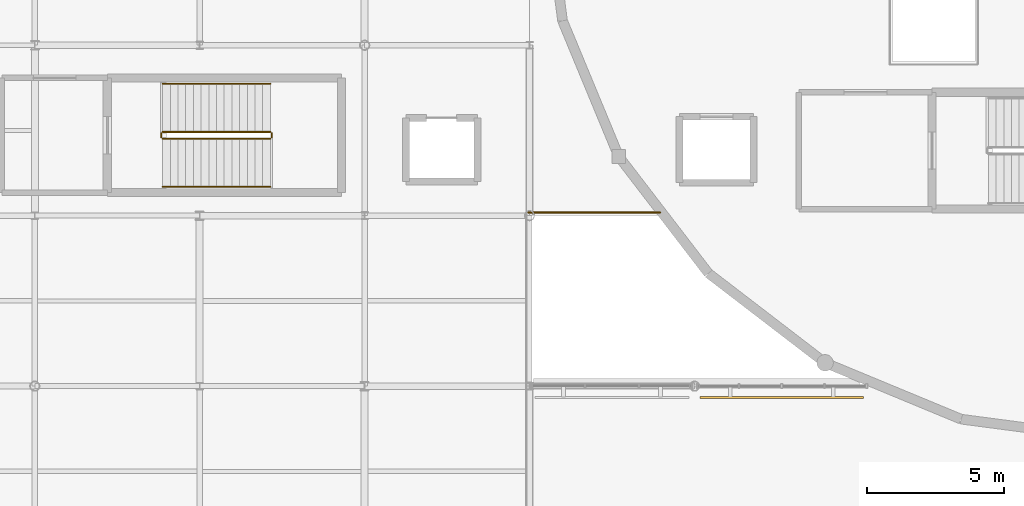
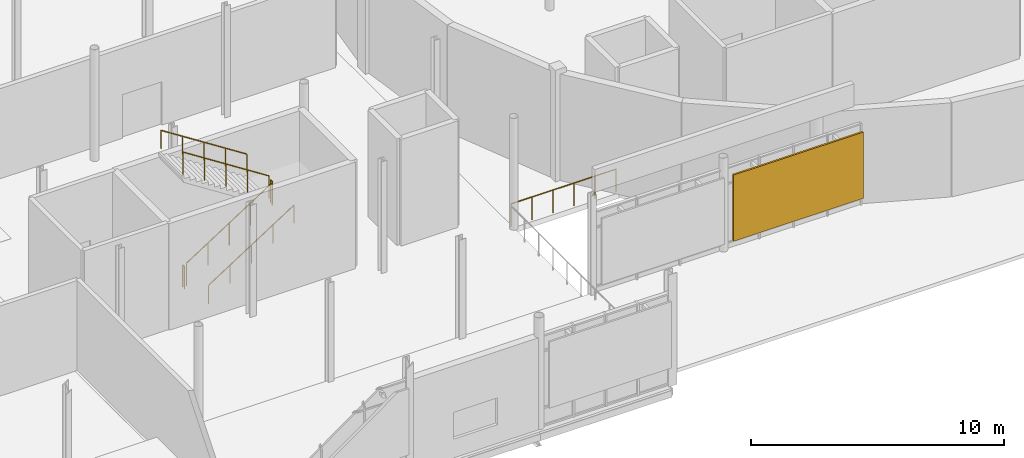
# One storey, part 92 of 105: 7 railings, 1 shading device.
"""IFC4 building model written with IfcOpenShell, lengths in metres."""

from ifc_helpers import new_model, si_unit, direction, frame, origin, origin_2d, place, context, subcontext, project, spatial, rectangle, circle, extrude, material, layer, layer_set, type_object, element, save


model = new_model("IFC4")

# Units and contexts
model_context = context("Model", 3, precision=1e-05, world=origin(), true_north=direction((0.0, 1.0)))
body_context = subcontext(model_context, "Body", "Model", "MODEL_VIEW")
ifc_project = project(units=[si_unit("LENGTHUNIT", "METRE"), si_unit("AREAUNIT", "SQUARE_METRE"), si_unit("VOLUMEUNIT", "CUBIC_METRE"), si_unit("PLANEANGLEUNIT", "RADIAN"), si_unit("MASSUNIT", "GRAM", prefix="KILO")], contexts=[model_context])

# Site, building, storey
site_placement = place(None, origin())
site = spatial("IfcSite", under=ifc_project, at=site_placement, CompositionType="ELEMENT")
building_placement = place(site_placement, origin())
building = spatial("IfcBuilding", under=site, at=building_placement, Name="Mirzam Square Science Centre", CompositionType="ELEMENT")
storey_placement = place(building_placement, frame((0.0, 0.0, 5.39990234375)))
storey = spatial("IfcBuildingStorey", under=building, at=storey_placement, Name="L01", CompositionType="ELEMENT", Elevation=5.39990234375)

# Railings
ifc_material_1 = material(Name="Bronze-Anodised Architectural Balustrade", Category="aluminium")
railing_type_1 = type_object("IfcRailingType", Name="RL-INT-GUARD-1100", PredefinedType="GUARDRAIL", material=ifc_material_1)
railing_1_placement = place(storey_placement, frame((46.64990234375, 52.39990234375, 0.18017578125)))
element("IfcRailing", 1, at=railing_1_placement, inside=storey, type_object=railing_type_1, Name="L01 ST-01 stair guard 1", PredefinedType="GUARDRAIL", context=body_context, shape_type="SweptSolid", body=[
    extrude(circle(Radius=0.02392578125, at=origin_2d()), frame((0.0, 0.0, 1.076171875), z_axis=(0.841186985886, 0.0, 0.540744352514), x_axis=(0.0, 1.0, 0.0)), (0.0, 0.0, 1.0), 4.660400390625),
    extrude(circle(Radius=0.02099609375, at=origin_2d()), origin(), (0.0, 0.0, 1.0), 1.052001953125),
    extrude(circle(Radius=0.02099609375, at=origin_2d()), frame((0.97998046875, 0.0, 0.6298828125)), (0.0, 0.0, 1.0), 1.052001953125),
    extrude(circle(Radius=0.02099609375, at=origin_2d()), frame((1.9599609375, 0.0, 1.260009765625)), (0.0, 0.0, 1.0), 1.052001953125),
    extrude(circle(Radius=0.02099609375, at=origin_2d()), frame((2.940185546875, 0.0, 1.89013671875)), (0.0, 0.0, 1.0), 1.052001953125),
    extrude(circle(Radius=0.02099609375, at=origin_2d()), frame((3.920166015625, 0.0, 2.52001953125)), (0.0, 0.0, 1.0), 1.052001953125),
])
railing_2_placement = place(storey_placement, frame((50.6201171875, 52.449951171875, 2.7001953125)))
element("IfcRailing", 2, at=railing_2_placement, inside=storey, type_object=railing_type_1, Name="L01 ST-01 stair guard 2", PredefinedType="GUARDRAIL", context=body_context, shape_type="SweptSolid", body=[
    extrude(circle(Radius=0.02392578125, at=origin_2d()), frame((0.0, 0.0, 1.076171875), z_axis=(0.0, 1.0, 0.0), x_axis=(-1.0, 0.0, 0.0)), (0.0, 0.0, 1.0), 0.150146484375),
    extrude(circle(Radius=0.02099609375, at=origin_2d()), origin(), (0.0, 0.0, 1.0), 1.052001953125),
    extrude(circle(Radius=0.02099609375, at=origin_2d()), frame((0.0, 0.150146484375, 0.0)), (0.0, 0.0, 1.0), 1.052001953125),
])
railing_3_placement = place(storey_placement, frame((50.570068359375, 52.64990234375, 2.880126953125)))
element("IfcRailing", 3, at=railing_3_placement, inside=storey, type_object=railing_type_1, Name="L01 ST-01 stair guard 3", PredefinedType="GUARDRAIL", context=body_context, shape_type="SweptSolid", body=[
    extrude(circle(Radius=0.02392578125, at=origin_2d()), frame((0.0, 0.0, 1.076171875), z_axis=(-0.841186985886, 0.0, 0.540744352514), x_axis=(0.0, -1.0, 0.0)), (0.0, 0.0, 1.0), 4.660400390625),
    extrude(circle(Radius=0.02099609375, at=origin_2d()), origin(), (0.0, 0.0, 1.0), 1.052001953125),
    extrude(circle(Radius=0.02099609375, at=origin_2d()), frame((-0.97998046875, 0.0, 0.6298828125)), (0.0, 0.0, 1.0), 1.052001953125),
    extrude(circle(Radius=0.02099609375, at=origin_2d()), frame((-1.9599609375, 0.0, 1.260009765625)), (0.0, 0.0, 1.0), 1.052001953125),
    extrude(circle(Radius=0.02099609375, at=origin_2d()), frame((-2.940185546875, 0.0, 1.89013671875)), (0.0, 0.0, 1.0), 1.052001953125),
    extrude(circle(Radius=0.02099609375, at=origin_2d()), frame((-3.920166015625, 0.0, 2.52001953125)), (0.0, 0.0, 1.0), 1.052001953125),
])
railing_4_placement = place(storey_placement, frame((46.60009765625, 52.449951171875, 0.0)))
element("IfcRailing", 4, at=railing_4_placement, inside=storey, type_object=railing_type_1, Name="L01 ST-01 stair guard 4", PredefinedType="GUARDRAIL", context=body_context, shape_type="SweptSolid", body=[
    extrude(circle(Radius=0.02392578125, at=origin_2d()), frame((0.0, 0.0, 1.076171875), z_axis=(0.0, 1.0, 0.0), x_axis=(-1.0, 0.0, 0.0)), (0.0, 0.0, 1.0), 0.150146484375),
    extrude(circle(Radius=0.02099609375, at=origin_2d()), origin(), (0.0, 0.0, 1.0), 1.052001953125),
    extrude(circle(Radius=0.02099609375, at=origin_2d()), frame((0.0, 0.150146484375, 0.0)), (0.0, 0.0, 1.0), 1.052001953125),
])
ifc_material_2 = material(Name="Brushed Bronze Tubular Handrail", Category="aluminium")
railing_type_2 = type_object("IfcRailingType", Name="RL-STAIR-HANDRAIL-900", PredefinedType="HANDRAIL", material=ifc_material_2)
railing_5_placement = place(storey_placement, frame((46.64990234375, 50.64990234375, 0.3720703125)))
element("IfcRailing", 5, at=railing_5_placement, inside=storey, type_object=railing_type_2, Name="L01 ST-01 stair handrail 1", PredefinedType="HANDRAIL", context=body_context, shape_type="SweptSolid", body=[
    extrude(circle(Radius=0.02392578125, at=origin_2d()), frame((0.0, 0.0, 0.8759765625), z_axis=(0.841186985886, 0.0, 0.540744352514), x_axis=(0.0, 1.0, 0.0)), (0.0, 0.0, 1.0), 4.660400390625),
    extrude(circle(Radius=0.02099609375, at=origin_2d()), origin(), (0.0, 0.0, 1.0), 0.851806640625),
    extrude(circle(Radius=0.02099609375, at=origin_2d()), frame((0.97998046875, 0.0, 0.6298828125)), (0.0, 0.0, 1.0), 0.851806640625),
    extrude(circle(Radius=0.02099609375, at=origin_2d()), frame((1.9599609375, 0.0, 1.260009765625)), (0.0, 0.0, 1.0), 0.851806640625),
    extrude(circle(Radius=0.02099609375, at=origin_2d()), frame((2.940185546875, 0.0, 1.89013671875)), (0.0, 0.0, 1.0), 0.851806640625),
    extrude(circle(Radius=0.02099609375, at=origin_2d()), frame((3.920166015625, 0.0, 2.52001953125)), (0.0, 0.0, 1.0), 0.851806640625),
])
railing_6_placement = place(storey_placement, frame((50.570068359375, 54.39990234375, 3.072021484375)))
element("IfcRailing", 6, at=railing_6_placement, inside=storey, type_object=railing_type_2, Name="L01 ST-01 stair handrail 2", PredefinedType="HANDRAIL", context=body_context, shape_type="SweptSolid", body=[
    extrude(circle(Radius=0.02392578125, at=origin_2d()), frame((0.0, 0.0, 0.8759765625), z_axis=(-0.841186985886, 0.0, 0.540744352514), x_axis=(0.0, -1.0, 0.0)), (0.0, 0.0, 1.0), 4.660400390625),
    extrude(circle(Radius=0.02099609375, at=origin_2d()), origin(), (0.0, 0.0, 1.0), 0.851806640625),
    extrude(circle(Radius=0.02099609375, at=origin_2d()), frame((-0.97998046875, 0.0, 0.6298828125)), (0.0, 0.0, 1.0), 0.851806640625),
    extrude(circle(Radius=0.02099609375, at=origin_2d()), frame((-1.9599609375, 0.0, 1.260009765625)), (0.0, 0.0, 1.0), 0.851806640625),
    extrude(circle(Radius=0.02099609375, at=origin_2d()), frame((-2.940185546875, 0.0, 1.89013671875)), (0.0, 0.0, 1.0), 0.851806640625),
    extrude(circle(Radius=0.02099609375, at=origin_2d()), frame((-3.920166015625, 0.0, 2.52001953125)), (0.0, 0.0, 1.0), 0.851806640625),
])
railing_type_3 = type_object("IfcRailingType", Name="RL-TERR-GUARD-1100", PredefinedType="GUARDRAIL", material=ifc_material_1)
railing_7_placement = place(storey_placement, frame((59.949951171875, 49.719970703125, 0.0)))
element("IfcRailing", 7, at=railing_7_placement, inside=storey, type_object=railing_type_3, Name="L01 west drum link south edge guard", PredefinedType="GUARDRAIL", context=body_context, shape_type="SweptSolid", body=[
    extrude(circle(Radius=0.02392578125, at=origin_2d()), frame((0.0, 0.0, 1.09619140625), z_axis=(1.0, 0.0, 0.0), x_axis=(0.0, 1.0, 0.0)), (0.0, 0.0, 1.0), 4.800048828125),
    extrude(circle(Radius=0.02099609375, at=origin_2d()), origin(), (0.0, 0.0, 1.0), 1.072021484375),
    extrude(circle(Radius=0.02099609375, at=origin_2d()), frame((0.9599609375, 0.0, 0.0)), (0.0, 0.0, 1.0), 1.072021484375),
    extrude(circle(Radius=0.02099609375, at=origin_2d()), frame((1.919921875, 0.0, 0.0)), (0.0, 0.0, 1.0), 1.072021484375),
    extrude(circle(Radius=0.02099609375, at=origin_2d()), frame((2.880126953125, 0.0, 0.0)), (0.0, 0.0, 1.0), 1.072021484375),
    extrude(circle(Radius=0.02099609375, at=origin_2d()), frame((3.840087890625, 0.0, 0.0)), (0.0, 0.0, 1.0), 1.072021484375),
    extrude(circle(Radius=0.02099609375, at=origin_2d()), frame((4.800048828125, 0.0, 0.0)), (0.0, 0.0, 1.0), 1.072021484375),
])

# Shading device
ifc_material_3 = material(Name="Perforated Bronze-Anodised Aluminium Brise-Soleil", Category="aluminium")
ifc_layer = layer(ifc_material_3, 0.080078125)
ifc_layer_set = layer_set([ifc_layer], Name="SHD-BRISE-BRONZE")
shading_device_type = type_object("IfcShadingDeviceType", Name="SHD-BRISE-BRONZE", PredefinedType="JALOUSIE", material=ifc_layer_set)
shading_device_placement = place(storey_placement, frame((69.175048828125, 42.989990234375, 1.2001953125), z_axis=(0.0, 0.0, 1.0), x_axis=(1.0, 0.0, 0.0)))
element("IfcShadingDevice", 8, at=shading_device_placement, inside=storey, type_object=shading_device_type, Name="L01 bronze brise-soleil screen 45", PredefinedType="JALOUSIE", context=body_context, shape_type="SweptSolid", body=[
    extrude(rectangle(XDim=5.93994140625, YDim=0.080078125, at=origin_2d()), origin(), (0.0, 0.0, 1.0), 3.199951171875),
])

save(model, "model.ifc")
